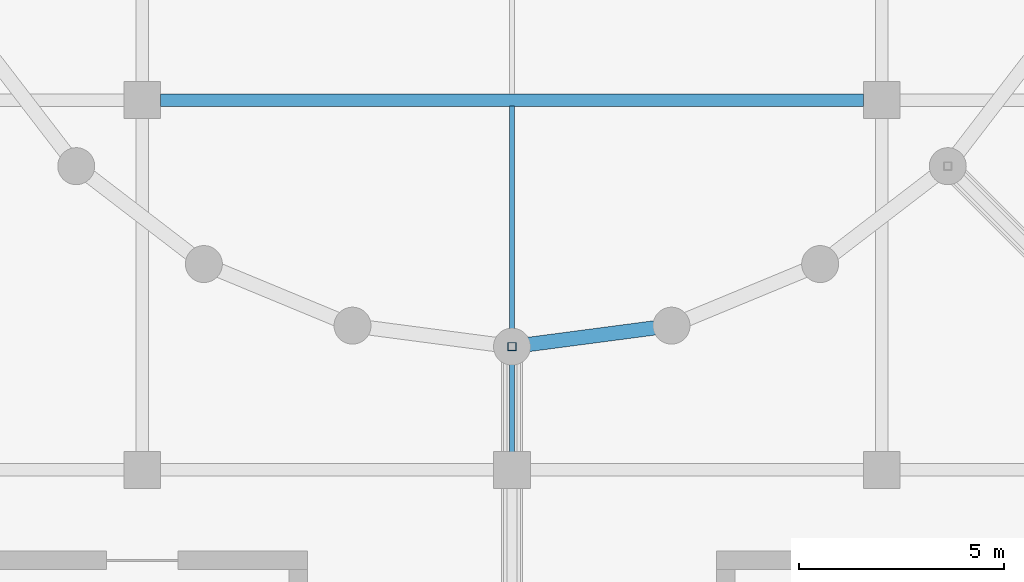
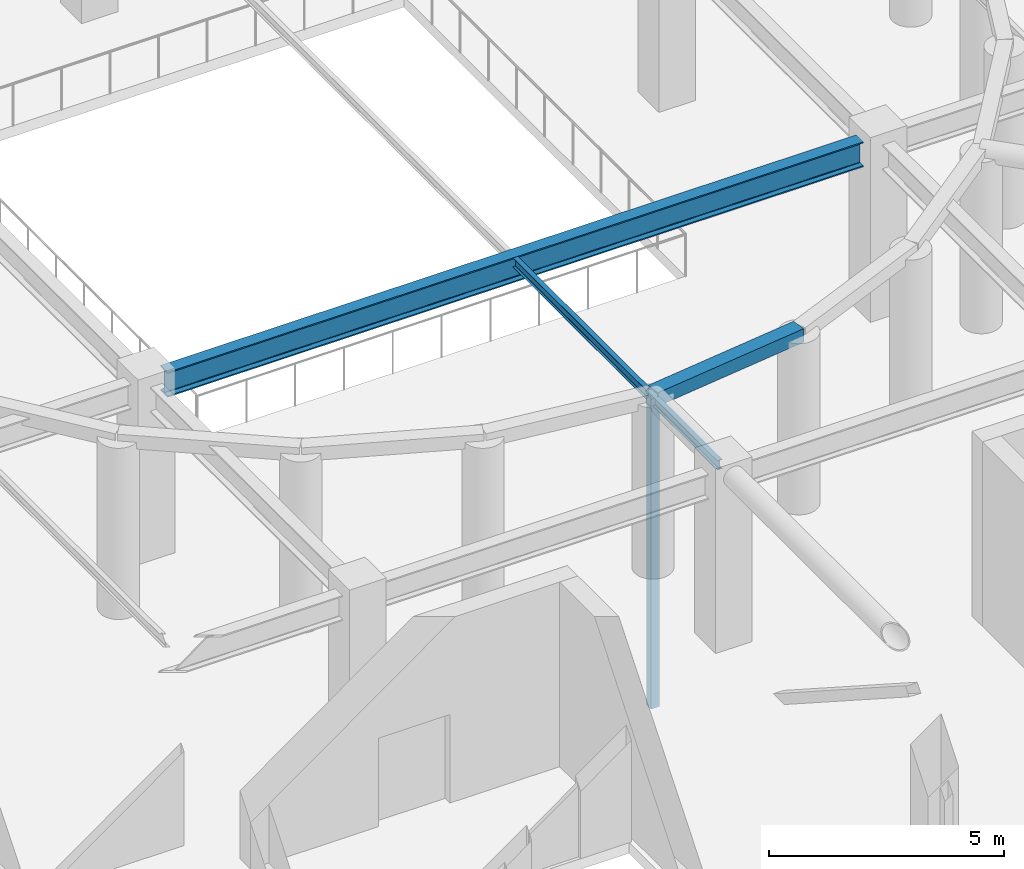
# One storey, part 65 of 167: 2 beams, 2 members.
"""IFC4 building model written with IfcOpenShell, lengths in metres."""

import ifcopenshell
import ifcopenshell.guid

model = None  # the IFC model being written
_history = None  # IfcOwnerHistory: only IFC2X3 demands one
_inside = {}  # id of a spatial element -> (the spatial element, [elements in it])
_under = {}  # id of a project, library or spatial element -> (it, [spatial elements below it])
_declared = {}  # id of a project -> (the project, [libraries it declares])
_typed = {}  # id of a type object -> (the type object, [elements of that type])
_made_of = {}  # id of a material, layer set ... -> (it, [elements and type objects made of it])


def new_model(schema):
    """Start an empty IFC model of exactly this schema.

    Asked for "IFC4X3", IfcOpenShell would pick the latest addendum, in which some entities
    have other attributes; the version numbers below select the first issue.
    IFC2X3 requires an IfcOwnerHistory on every rooted entity: one is made here for all.
    """
    global model, _history
    if schema == "IFC4X3":
        model = ifcopenshell.file(schema_version=(4, 3, 0, 0))
    else:
        model = ifcopenshell.file(schema=schema)
    _inside.clear()
    _under.clear()
    _declared.clear()
    _typed.clear()
    _made_of.clear()
    _history = None
    if model.schema == "IFC2X3":
        org = make("IfcOrganization", Name="unknown")
        user = make(
            "IfcPersonAndOrganization",
            ThePerson=make("IfcPerson", FamilyName="unknown"),
            TheOrganization=org,
        )
        app = make(
            "IfcApplication",
            ApplicationDeveloper=org,
            Version="unknown",
            ApplicationFullName="unknown",
            ApplicationIdentifier="unknown",
        )
        _history = make(
            "IfcOwnerHistory",
            OwningUser=user,
            OwningApplication=app,
            ChangeAction="ADDED",
            CreationDate=0,
        )
    return model


def make(cls, **values):
    """One entity of the class cls with the attributes given. An attribute that is None is left unset."""
    return model.create_entity(
        cls, **{name: value for name, value in values.items() if value is not None}
    )


def rooted(cls, **values):
    """An entity with a GlobalId (a new one), such as an element, a storey or a relation."""
    return make(cls, GlobalId=ifcopenshell.guid.new(), OwnerHistory=_history, **values)


def si_unit(unit_type, name, prefix=None):
    """IfcSIUnit, for example si_unit("LENGTHUNIT", "METRE", prefix="MILLI")."""
    return make("IfcSIUnit", UnitType=unit_type, Prefix=prefix, Name=name)


def assignment(units):
    """IfcUnitAssignment: the units of a project."""
    return None if units is None else make("IfcUnitAssignment", Units=units)


def point(xyz):
    """IfcCartesianPoint."""
    return None if xyz is None else make("IfcCartesianPoint", Coordinates=xyz)


def direction(xyz):
    """IfcDirection."""
    return None if xyz is None else make("IfcDirection", DirectionRatios=xyz)


def frame(location, z_axis=None, x_axis=None):
    """IfcAxis2Placement3D, a coordinate frame: its origin and axes. An axis left out is left unset."""
    return make(
        "IfcAxis2Placement3D",
        Location=point(location),
        Axis=direction(z_axis),
        RefDirection=direction(x_axis),
    )


def frame_2d(location, x_axis=None):
    """IfcAxis2Placement2D, a coordinate frame in the plane: its origin and x axis."""
    return make(
        "IfcAxis2Placement2D", Location=point(location), RefDirection=direction(x_axis)
    )


def origin():
    """The frame at (0, 0, 0) with its axes left unset."""
    return frame((0.0, 0.0, 0.0))


def origin_2d():
    """The frame at (0, 0) in the plane with its x axis left unset."""
    return frame_2d((0.0, 0.0))


def place(relative_to, where):
    """IfcLocalPlacement: puts the frame where relative to a parent placement (None: the world)."""
    return make(
        "IfcLocalPlacement", PlacementRelTo=relative_to, RelativePlacement=where
    )


def context(
    kind, dimensions, precision=None, world=None, true_north=None, identifier=None
):
    """IfcGeometricRepresentationContext, for example the 3D "Model" context."""
    return make(
        "IfcGeometricRepresentationContext",
        ContextIdentifier=identifier,
        ContextType=kind,
        CoordinateSpaceDimension=dimensions,
        Precision=precision,
        WorldCoordinateSystem=world,
        TrueNorth=true_north,
    )


def subcontext(parent, identifier, kind, view, scale=None):
    """IfcGeometricRepresentationSubContext, for example "Body" below "Model"."""
    return make(
        "IfcGeometricRepresentationSubContext",
        ContextIdentifier=identifier,
        ContextType=kind,
        ParentContext=parent,
        TargetScale=scale,
        TargetView=view,
    )


def project(units=None, contexts=None):
    """IfcProject with its units and contexts."""
    return rooted(
        "IfcProject",
        Name="project",
        RepresentationContexts=contexts,
        UnitsInContext=assignment(units),
    )


def spatial(cls, under=None, at=None, **own):
    """A site, building, storey or space (cls), placed at a placement, below another one or the project."""
    s = rooted(cls, ObjectPlacement=at, **own)
    if under is not None:
        _under.setdefault(under.id(), (under, []))[1].append(s)
    return s


def profile(cls, at=None, kind="AREA", **sizes):
    """A parametric profile (cls). Its sizes go by their IFC names, for example OverallWidth=200.0."""
    return make(cls, ProfileType=kind, Position=at, **sizes)


def hollow_rectangle(**sizes):
    """IfcRectangleHollowProfileDef."""
    return profile("IfcRectangleHollowProfileDef", **sizes)


def i_section(**sizes):
    """IfcIShapeProfileDef."""
    return profile("IfcIShapeProfileDef", **sizes)


def extrude(swept, where, along, depth):
    """IfcExtrudedAreaSolid: the profile swept, set in the frame where, extruded along a direction by depth."""
    return make(
        "IfcExtrudedAreaSolid",
        SweptArea=swept,
        Position=where,
        ExtrudedDirection=direction(along),
        Depth=depth,
    )


def shape(context_of_items, identifier, shape_type, items):
    """IfcShapeRepresentation: the items that make up one representation, for example the "Body"."""
    return make(
        "IfcShapeRepresentation",
        ContextOfItems=context_of_items,
        RepresentationIdentifier=identifier,
        RepresentationType=shape_type,
        Items=items,
    )


def material(Name=None, Category=None):
    """IfcMaterial."""
    return make("IfcMaterial", Name=Name, Category=Category)


def material_profile(
    of_material, cross_section, Name=None, Category=None, Priority=None
):
    """IfcMaterialProfile: a cross section and its material."""
    return make(
        "IfcMaterialProfile",
        Name=Name,
        Material=of_material,
        Profile=cross_section,
        Priority=Priority,
        Category=Category,
    )


def profile_set(profiles, Name=None, composite=None):
    """IfcMaterialProfileSet."""
    return make(
        "IfcMaterialProfileSet",
        Name=Name,
        MaterialProfiles=profiles,
        CompositeProfile=composite,
    )


def made_of(thing, what):
    """Note that an element or type object is made of a material, layer set ...; save() writes the relation."""
    if what is not None:
        _made_of.setdefault(what.id(), (what, []))[1].append(thing)
    return thing


def type_object(cls, material=None, **own):
    """A type object (cls), such as IfcWallType, which elements share."""
    return made_of(rooted(cls, **own), material)


def element(
    cls,
    number,
    at=None,
    inside=None,
    cuts=None,
    type_object=None,
    material=None,
    context=None,
    identifier="Body",
    shape_type=None,
    held_by="IfcProductDefinitionShape",
    body=None,
    shapes=None,
    **own,
):
    """One element of the class cls, such as IfcWall. Its Tag is "e" and its number.

    at: its placement. inside: the storey or other place that contains it. cuts: it is an
    opening in that element (IfcRelVoidsElement). A single representation is given by context,
    identifier, shape_type and body (its items); several are given by shapes. held_by: the class
    of the entity that holds the representations. save() writes the other relations.
    """
    e = rooted(cls, Tag="e%d" % number, ObjectPlacement=at, **own)
    if body is not None:
        shapes = [shape(context, identifier, shape_type, body)]
    if shapes is not None:
        e.Representation = make(held_by, Representations=shapes)
    if inside is not None:
        _inside.setdefault(inside.id(), (inside, []))[1].append(e)
    if cuts is not None:
        rooted(
            "IfcRelVoidsElement", RelatingBuildingElement=cuts, RelatedOpeningElement=e
        )
    if type_object is not None:
        _typed.setdefault(type_object.id(), (type_object, []))[1].append(e)
    return made_of(e, material)


def aggregate(whole, parts):
    """IfcRelAggregates: a whole, such as a stair, and the parts it consists of."""
    return rooted("IfcRelAggregates", RelatingObject=whole, RelatedObjects=parts)


def save(model, path):
    """Write the relations noted so far, then the file.

    IfcRelAggregates (storeys below a building ...), IfcRelContainedInSpatialStructure (elements
    in a storey), IfcRelDefinesByType, IfcRelAssociatesMaterial and IfcRelDeclares: one each for
    every whole, place, type object, material and project.
    """
    for whole, parts in _under.values():
        aggregate(whole, parts)
    for where, things in _inside.values():
        rooted(
            "IfcRelContainedInSpatialStructure",
            RelatedElements=things,
            RelatingStructure=where,
        )
    for kind, things in _typed.values():
        rooted("IfcRelDefinesByType", RelatedObjects=things, RelatingType=kind)
    for what, things in _made_of.values():
        rooted("IfcRelAssociatesMaterial", RelatedObjects=things, RelatingMaterial=what)
    for by, libraries in _declared.values():
        rooted("IfcRelDeclares", RelatingContext=by, RelatedDefinitions=libraries)
    model.write(path)


model = new_model("IFC4")

# Units and contexts
model_context = context("Model", 3, precision=1e-05, world=origin(), true_north=direction((0.0, 1.0)))
body_context = subcontext(model_context, "Body", "Model", "MODEL_VIEW")
ifc_project = project(units=[si_unit("LENGTHUNIT", "METRE"), si_unit("AREAUNIT", "SQUARE_METRE"), si_unit("VOLUMEUNIT", "CUBIC_METRE"), si_unit("PLANEANGLEUNIT", "RADIAN"), si_unit("MASSUNIT", "GRAM", prefix="KILO")], contexts=[model_context])

# Site, building, storey
site_placement = place(None, origin())
site = spatial("IfcSite", under=ifc_project, at=site_placement, CompositionType="ELEMENT")
building_placement = place(site_placement, origin())
building = spatial("IfcBuilding", under=site, at=building_placement, Name="Dornveld Trade and Exhibition Forum", CompositionType="ELEMENT")
storey_placement = place(building_placement, frame((0.0, 0.0, 16.800048828125)))
storey = spatial("IfcBuildingStorey", under=building, at=storey_placement, Name="L03", CompositionType="ELEMENT", Elevation=16.800048828125)

# Beams
ifc_material_1 = material(Name="Steel S355J2", Category="steel")
ifc_material_profile_1 = material_profile(ifc_material_1, i_section(OverallWidth=0.300048828125, OverallDepth=0.64990234375, WebThickness=0.01611328125, FlangeThickness=0.031005859375, FilletRadius=0.027099609375, at=origin_2d()), Name="HEB 650")
ifc_profile_set_1 = profile_set([ifc_material_profile_1], Name="Steel S355J2")
beam_type_1 = type_object("IfcBeamType", Name="BM-GIR-HEB650", PredefinedType="USERDEFINED", material=ifc_profile_set_1)
beam_1_placement = place(storey_placement, frame((108.446044921875, 72.0, 4.18505859375), z_axis=(1.0, 0.0, 0.0), x_axis=(0.0, 1.0, 0.0)))
element("IfcBeam", 1, at=beam_1_placement, inside=storey, type_object=beam_type_1, Name="L03 X-girder 1655", ObjectType="GIRDER", PredefinedType="USERDEFINED", context=body_context, shape_type="SweptSolid", body=[
    extrude(i_section(OverallWidth=0.300048828125, OverallDepth=0.64990234375, WebThickness=0.01611328125, FlangeThickness=0.031005859375, FilletRadius=0.027099609375, at=origin_2d()), origin(), (0.0, 0.0, 1.0), 17.10791015625),
])
ifc_material_2 = material(Name="Steel S355J2", Category="steel")
ifc_material_profile_2 = material_profile(ifc_material_2, i_section(OverallWidth=0.1201171875, OverallDepth=0.239990234375, WebThickness=0.006103515625, FlangeThickness=0.009765625, FilletRadius=0.014892578125, at=origin_2d()), Name="IPE 240")
ifc_profile_set_2 = profile_set([ifc_material_profile_2], Name="Steel S355J2")
beam_type_2 = type_object("IfcBeamType", Name="BM-JOIST-240", PredefinedType="JOIST", material=ifc_profile_set_2)
beam_2_placement = place(storey_placement, frame((117.0, 63.14697265625, 4.389892578125), z_axis=(0.0, 1.0, 0.0), x_axis=(-1.0, 0.0, 0.0)))
element("IfcBeam", 2, at=beam_2_placement, inside=storey, type_object=beam_type_2, Name="L03 secondary joist 1670", PredefinedType="JOIST", context=body_context, shape_type="SweptSolid", body=[
    extrude(i_section(OverallWidth=0.1201171875, OverallDepth=0.239990234375, WebThickness=0.006103515625, FlangeThickness=0.009765625, FilletRadius=0.014892578125, at=origin_2d()), origin(), (0.0, 0.0, 1.0), 8.7060546875),
])

# Members
ifc_material_3 = material(Name="Steel S355J2", Category="steel")
ifc_material_profile_3 = material_profile(ifc_material_3, hollow_rectangle(XDim=0.35009765625, YDim=0.35009765625, WallThickness=0.01611328125, at=origin_2d()), Name="SHS 350x350x16")
ifc_profile_set_3 = profile_set([ifc_material_profile_3], Name="Steel S355J2")
member_type_1 = type_object("IfcMemberType", Name="MEM-DISC-RING", PredefinedType="CHORD", material=ifc_profile_set_3)
member_1_placement = place(storey_placement, frame((117.0, 66.0, 4.449951171875), z_axis=(0.991449201734, 0.130493219672, 0.0), x_axis=(-0.130493219672, 0.991449201734, 0.0)))
element("IfcMember", 3, at=member_1_placement, inside=storey, type_object=member_type_1, Name="Roof disc ring 1 chord 19", PredefinedType="CHORD", context=body_context, shape_type="SweptSolid", body=[
    extrude(hollow_rectangle(XDim=0.35009765625, YDim=0.35009765625, WallThickness=0.01611328125, at=origin_2d()), origin(), (0.0, 0.0, 1.0), 3.915771484375),
])
ifc_material_4 = material(Name="Steel S355J2", Category="steel")
ifc_material_profile_4 = material_profile(ifc_material_4, hollow_rectangle(XDim=0.199951171875, YDim=0.199951171875, WallThickness=0.010009765625, at=origin_2d()), Name="SHS 200x200x10")
ifc_profile_set_4 = profile_set([ifc_material_profile_4], Name="Steel S355J2")
member_type_2 = type_object("IfcMemberType", Name="MEM-DISC-STR", PredefinedType="STRUT", material=ifc_profile_set_4)
member_2_placement = place(storey_placement, frame((117.0, 66.0, -3.60009765625), z_axis=(0.0, 0.0, 1.0), x_axis=(1.0, 0.0, 0.0)))
element("IfcMember", 4, at=member_2_placement, inside=storey, type_object=member_type_2, Name="Roof disc radial R19 strut 1", PredefinedType="STRUT", context=body_context, shape_type="SweptSolid", body=[
    extrude(hollow_rectangle(XDim=0.199951171875, YDim=0.199951171875, WallThickness=0.010009765625, at=origin_2d()), origin(), (0.0, 0.0, 1.0), 8.050048828125),
])

save(model, "model.ifc")
